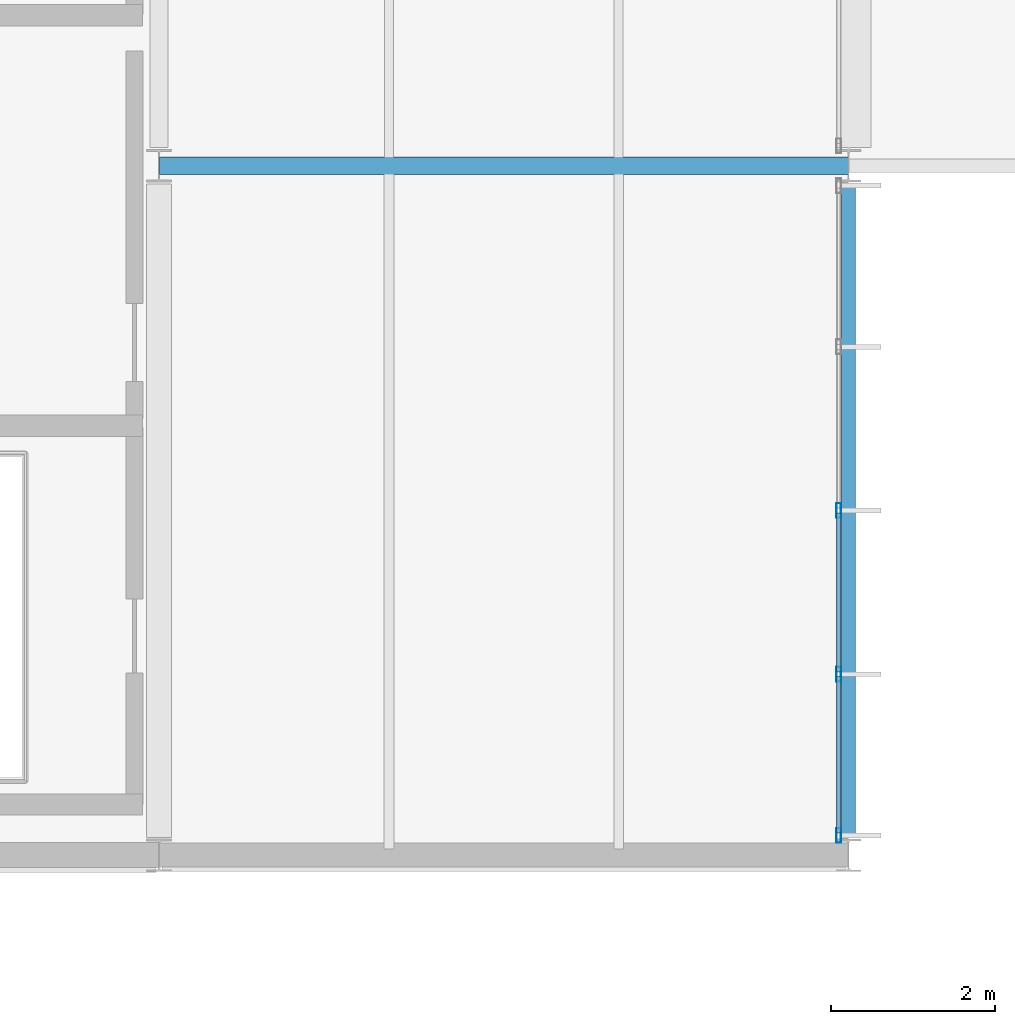
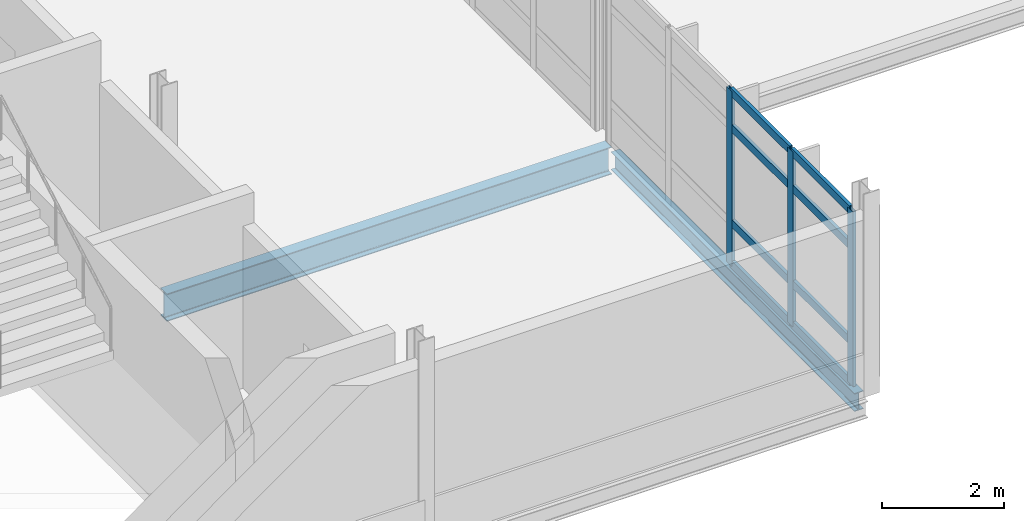
# One storey, part 38 of 151: 11 members, 2 beams, 1 element without a shape of its own.
"""IFC4 building model written with IfcOpenShell, lengths in metres."""

from ifc_helpers import new_model, si_unit, direction, frame, origin, origin_2d, place, context, subcontext, project, spatial, hollow_rectangle, i_section, extrude, material, material_profile, profile_set, type_object, element, aggregate, save


model = new_model("IFC4")

# Units and contexts
model_context = context("Model", 3, precision=1e-05, world=origin(), true_north=direction((0.0, 1.0)))
body_context = subcontext(model_context, "Body", "Model", "MODEL_VIEW")
ifc_project = project(units=[si_unit("LENGTHUNIT", "METRE"), si_unit("AREAUNIT", "SQUARE_METRE"), si_unit("VOLUMEUNIT", "CUBIC_METRE"), si_unit("PLANEANGLEUNIT", "RADIAN"), si_unit("MASSUNIT", "GRAM", prefix="KILO")], contexts=[model_context])

# Site, building, storey
site_placement = place(None, origin())
site = spatial("IfcSite", under=ifc_project, at=site_placement, CompositionType="ELEMENT")
building_placement = place(site_placement, origin())
building = spatial("IfcBuilding", under=site, at=building_placement, Name="Mersafa Astral City Hall", CompositionType="ELEMENT")
storey_placement = place(building_placement, frame((0.0, 0.0, 9.89990234375)))
storey = spatial("IfcBuildingStorey", under=building, at=storey_placement, Name="L02", CompositionType="ELEMENT", Elevation=9.89990234375)

# Curtain wall, members
ifc_material_1 = material(Name="Anodised bronze aluminium framing", Category="aluminium")
curtain_wall_type = type_object("IfcCurtainWallType", Name="ENV-CW-3", PredefinedType="USERDEFINED", material=ifc_material_1)
curtain_wall_placement = place(storey_placement, origin())
curtain_wall = element("IfcCurtainWall", 1, at=curtain_wall_placement, inside=storey, type_object=curtain_wall_type, Name="L02 Unitised solar curtain wall 134", ObjectType="UNITISED CURTAIN WALL", PredefinedType="USERDEFINED")
ifc_material_profile_1 = material_profile(ifc_material_1, hollow_rectangle(XDim=0.06005859375, YDim=0.179931640625, WallThickness=0.00390625, at=origin_2d()), Name="RHS 60x180x4")
ifc_profile_set_1 = profile_set([ifc_material_profile_1], Name="Anodised bronze aluminium framing")
member_type_1 = type_object("IfcMemberType", Name="ENV-CW-MUL-1", PredefinedType="MULLION", material=ifc_profile_set_1)
member_1_placement = place(storey_placement, frame((25.080078125, 75.842041015625, -0.001953125), z_axis=(0.0, 0.0, 1.0), x_axis=(-1.0, 0.0, 0.0)))
member_1 = element("IfcMember", 2, at=member_1_placement, type_object=member_type_1, Name="CW-3 mullion 1", PredefinedType="MULLION", context=body_context, shape_type="SweptSolid", body=[
    extrude(hollow_rectangle(XDim=0.06005859375, YDim=0.179931640625, WallThickness=0.00390625, at=origin_2d()), origin(), (0.0, 0.0, 1.0), 3.489013671875),
])
member_2_placement = place(storey_placement, frame((25.080078125, 77.805908203125, -0.001953125), z_axis=(0.0, 0.0, 1.0), x_axis=(-1.0, 0.0, 0.0)))
member_2 = element("IfcMember", 3, at=member_2_placement, type_object=member_type_1, Name="CW-3 mullion 2", PredefinedType="MULLION", context=body_context, shape_type="SweptSolid", body=[
    extrude(hollow_rectangle(XDim=0.06005859375, YDim=0.179931640625, WallThickness=0.00390625, at=origin_2d()), origin(), (0.0, 0.0, 1.0), 3.489013671875),
])
member_3_placement = place(storey_placement, frame((25.080078125, 79.800048828125, -0.001953125), z_axis=(0.0, 0.0, 1.0), x_axis=(-1.0, 0.0, 0.0)))
member_3 = element("IfcMember", 4, at=member_3_placement, type_object=member_type_1, Name="CW-3 mullion 3", PredefinedType="MULLION", context=body_context, shape_type="SweptSolid", body=[
    extrude(hollow_rectangle(XDim=0.06005859375, YDim=0.179931640625, WallThickness=0.00390625, at=origin_2d()), origin(), (0.0, 0.0, 1.0), 3.489013671875),
])
ifc_material_profile_2 = material_profile(ifc_material_1, hollow_rectangle(XDim=0.06005859375, YDim=0.159912109375, WallThickness=0.00390625, at=origin_2d()), Name="RHS 60x160x4")
ifc_profile_set_2 = profile_set([ifc_material_profile_2], Name="Anodised bronze aluminium framing")
member_type_2 = type_object("IfcMemberType", Name="ENV-CW-TRN-2", PredefinedType="USERDEFINED", material=ifc_profile_set_2)
member_4_placement = place(storey_placement, frame((25.080078125, 75.8720703125, 0.028076171875), z_axis=(0.0, 1.0, 0.0), x_axis=(-1.0, 0.0, 0.0)))
member_4 = element("IfcMember", 5, at=member_4_placement, type_object=member_type_2, Name="CW-3 transom 1.1", ObjectType="TRANSOM", PredefinedType="USERDEFINED", context=body_context, shape_type="SweptSolid", body=[
    extrude(hollow_rectangle(XDim=0.06005859375, YDim=0.159912109375, WallThickness=0.00390625, at=origin_2d()), origin(), (0.0, 0.0, 1.0), 1.90380859375),
])
member_5_placement = place(storey_placement, frame((25.080078125, 75.8720703125, 0.85009765625), z_axis=(0.0, 1.0, 0.0), x_axis=(-1.0, 0.0, 0.0)))
member_5 = element("IfcMember", 6, at=member_5_placement, type_object=member_type_2, Name="CW-3 transom 1.2", ObjectType="TRANSOM", PredefinedType="USERDEFINED", context=body_context, shape_type="SweptSolid", body=[
    extrude(hollow_rectangle(XDim=0.06005859375, YDim=0.159912109375, WallThickness=0.00390625, at=origin_2d()), origin(), (0.0, 0.0, 1.0), 1.90380859375),
])
member_6_placement = place(storey_placement, frame((25.080078125, 75.8720703125, 2.75), z_axis=(0.0, 1.0, 0.0), x_axis=(-1.0, 0.0, 0.0)))
member_6 = element("IfcMember", 7, at=member_6_placement, type_object=member_type_2, Name="CW-3 transom 1.3", ObjectType="TRANSOM", PredefinedType="USERDEFINED", context=body_context, shape_type="SweptSolid", body=[
    extrude(hollow_rectangle(XDim=0.06005859375, YDim=0.159912109375, WallThickness=0.00390625, at=origin_2d()), origin(), (0.0, 0.0, 1.0), 1.90380859375),
])
member_7_placement = place(storey_placement, frame((25.080078125, 75.8720703125, 3.45703125), z_axis=(0.0, 1.0, 0.0), x_axis=(-1.0, 0.0, 0.0)))
member_7 = element("IfcMember", 8, at=member_7_placement, type_object=member_type_2, Name="CW-3 transom 1.4", ObjectType="TRANSOM", PredefinedType="USERDEFINED", context=body_context, shape_type="SweptSolid", body=[
    extrude(hollow_rectangle(XDim=0.06005859375, YDim=0.159912109375, WallThickness=0.00390625, at=origin_2d()), origin(), (0.0, 0.0, 1.0), 1.90380859375),
])
member_8_placement = place(storey_placement, frame((25.080078125, 77.8359375, 0.028076171875), z_axis=(0.0, 1.0, 0.0), x_axis=(-1.0, 0.0, 0.0)))
member_8 = element("IfcMember", 9, at=member_8_placement, type_object=member_type_2, Name="CW-3 transom 2.1", ObjectType="TRANSOM", PredefinedType="USERDEFINED", context=body_context, shape_type="SweptSolid", body=[
    extrude(hollow_rectangle(XDim=0.06005859375, YDim=0.159912109375, WallThickness=0.00390625, at=origin_2d()), origin(), (0.0, 0.0, 1.0), 1.93408203125),
])
member_9_placement = place(storey_placement, frame((25.080078125, 77.8359375, 0.85009765625), z_axis=(0.0, 1.0, 0.0), x_axis=(-1.0, 0.0, 0.0)))
member_9 = element("IfcMember", 10, at=member_9_placement, type_object=member_type_2, Name="CW-3 transom 2.2", ObjectType="TRANSOM", PredefinedType="USERDEFINED", context=body_context, shape_type="SweptSolid", body=[
    extrude(hollow_rectangle(XDim=0.06005859375, YDim=0.159912109375, WallThickness=0.00390625, at=origin_2d()), origin(), (0.0, 0.0, 1.0), 1.93408203125),
])
member_10_placement = place(storey_placement, frame((25.080078125, 77.8359375, 2.75), z_axis=(0.0, 1.0, 0.0), x_axis=(-1.0, 0.0, 0.0)))
member_10 = element("IfcMember", 11, at=member_10_placement, type_object=member_type_2, Name="CW-3 transom 2.3", ObjectType="TRANSOM", PredefinedType="USERDEFINED", context=body_context, shape_type="SweptSolid", body=[
    extrude(hollow_rectangle(XDim=0.06005859375, YDim=0.159912109375, WallThickness=0.00390625, at=origin_2d()), origin(), (0.0, 0.0, 1.0), 1.93408203125),
])
member_11_placement = place(storey_placement, frame((25.080078125, 77.8359375, 3.45703125), z_axis=(0.0, 1.0, 0.0), x_axis=(-1.0, 0.0, 0.0)))
member_11 = element("IfcMember", 12, at=member_11_placement, type_object=member_type_2, Name="CW-3 transom 2.4", ObjectType="TRANSOM", PredefinedType="USERDEFINED", context=body_context, shape_type="SweptSolid", body=[
    extrude(hollow_rectangle(XDim=0.06005859375, YDim=0.159912109375, WallThickness=0.00390625, at=origin_2d()), origin(), (0.0, 0.0, 1.0), 1.93408203125),
])
aggregate(curtain_wall, [member_1, member_2, member_3, member_4, member_5, member_6, member_7, member_8, member_9, member_10, member_11])

# Beams
ifc_material_2 = material(Name="Steel S355", Category="steel")
ifc_material_profile_3 = material_profile(ifc_material_2, i_section(OverallWidth=0.2099609375, OverallDepth=0.550048828125, WebThickness=0.010986328125, FlangeThickness=0.01708984375, FilletRadius=0.02392578125, at=origin_2d()), Name="IPE 550")
ifc_profile_set_3 = profile_set([ifc_material_profile_3], Name="Steel S355")
beam_type_1 = type_object("IfcBeamType", Name="STR-BM-IPE550", PredefinedType="BEAM", material=ifc_profile_set_3)
beam_1_placement = place(storey_placement, frame((16.802978515625, 84.0, -0.474853515625), z_axis=(1.0, 0.0, 0.0), x_axis=(0.0, 1.0, 0.0)))
element("IfcBeam", 13, at=beam_1_placement, inside=storey, type_object=beam_type_1, Name="L02 Primary girder X 2-10", PredefinedType="BEAM", context=body_context, shape_type="SweptSolid", body=[
    extrude(i_section(OverallWidth=0.2099609375, OverallDepth=0.550048828125, WebThickness=0.010986328125, FlangeThickness=0.01708984375, FilletRadius=0.02392578125, at=origin_2d()), origin(), (0.0, 0.0, 1.0), 8.39404296875),
])
ifc_material_profile_4 = material_profile(ifc_material_2, i_section(OverallWidth=0.169921875, OverallDepth=0.360107421875, WebThickness=0.008056640625, FlangeThickness=0.0126953125, FilletRadius=0.01806640625, at=origin_2d()), Name="IPE 360")
ifc_profile_set_4 = profile_set([ifc_material_profile_4], Name="Steel S355")
beam_type_2 = type_object("IfcBeamType", Name="STR-BM-SPANDREL-IPE360", PredefinedType="SPANDREL", material=ifc_profile_set_4)
beam_2_placement = place(storey_placement, frame((25.199951171875, 75.820068359375, -0.3798828125), z_axis=(0.0, 1.0, 0.0), x_axis=(-1.0, 0.0, 0.0)))
element("IfcBeam", 14, at=beam_2_placement, inside=storey, type_object=beam_type_2, Name="L02 Primary girder Y 3-9", PredefinedType="SPANDREL", context=body_context, shape_type="SweptSolid", body=[
    extrude(i_section(OverallWidth=0.169921875, OverallDepth=0.360107421875, WebThickness=0.008056640625, FlangeThickness=0.0126953125, FilletRadius=0.01806640625, at=origin_2d()), origin(), (0.0, 0.0, 1.0), 7.9599609375),
])

save(model, "model.ifc")
